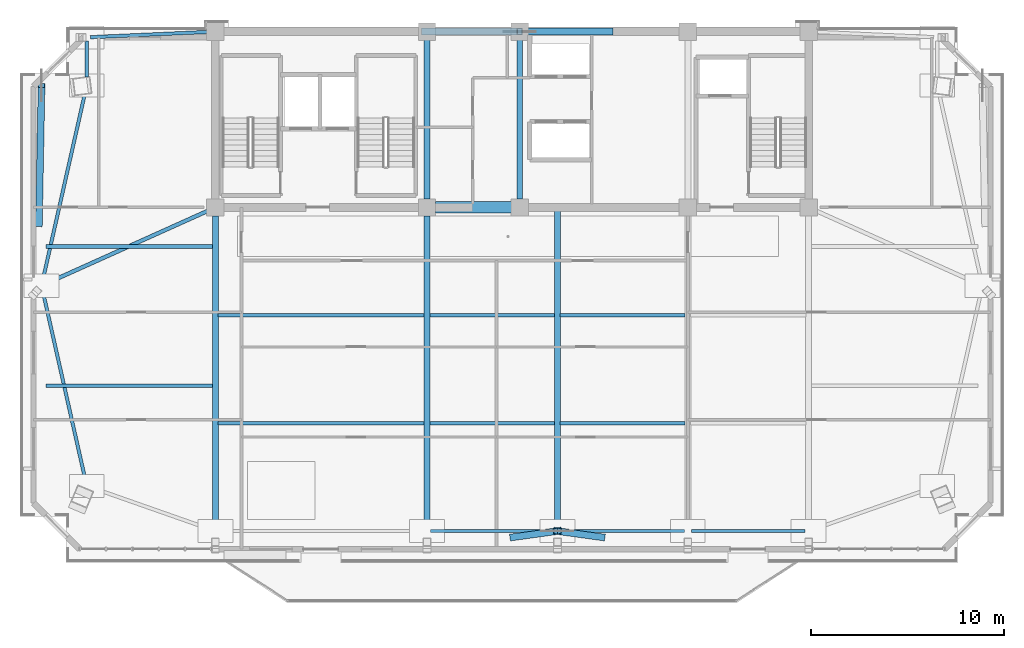
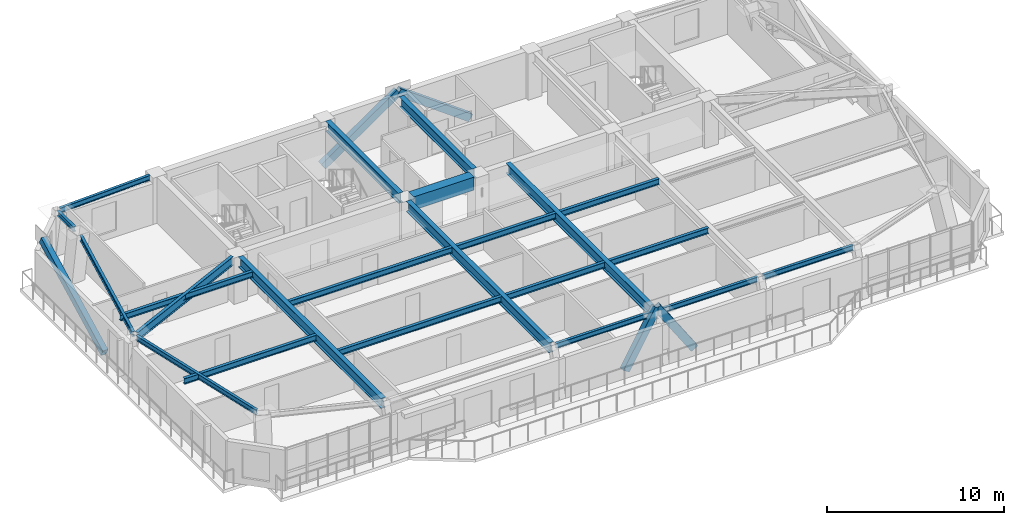
# One storey, part 3 of 14: 22 beams, 5 members.
"""IFC4 building model written with IfcOpenShell, lengths in metres."""

from ifc_helpers import new_model, si_unit, direction, frame, origin, origin_2d, place, context, subcontext, project, spatial, rectangle, hollow_rectangle, i_section, extrude, source, transform, mapped, material, material_profile, profile_set, type_object, element, save


model = new_model("IFC4")

# Units and contexts
model_context = context("Model", 3, precision=1e-05, world=origin(), true_north=direction((0.0, 1.0)))
body_context = subcontext(model_context, "Body", "Model", "MODEL_VIEW")
ifc_project = project(units=[si_unit("LENGTHUNIT", "METRE"), si_unit("AREAUNIT", "SQUARE_METRE"), si_unit("VOLUMEUNIT", "CUBIC_METRE"), si_unit("PLANEANGLEUNIT", "RADIAN"), si_unit("MASSUNIT", "GRAM", prefix="KILO")], contexts=[model_context])

# Site, building, storey
site_placement = place(None, origin())
site = spatial("IfcSite", under=ifc_project, at=site_placement, CompositionType="ELEMENT")
building_placement = place(site_placement, origin())
building = spatial("IfcBuilding", under=site, at=building_placement, Name="Giltprow Tower", CompositionType="ELEMENT")
storey_placement = place(building_placement, frame((0.0, 0.0, 310.800048828125)))
storey = spatial("IfcBuildingStorey", under=building, at=storey_placement, Name="L80", CompositionType="ELEMENT", Elevation=310.800048828125)

# Beams
ifc_material_1 = material(Name="Structural steel Q355B", Category="steel")
ifc_material_profile_1 = material_profile(ifc_material_1, i_section(OverallWidth=0.199951171875, OverallDepth=0.39990234375, WebThickness=0.008056640625, FlangeThickness=0.012939453125, at=origin_2d()), Name="HN 400x200x8x13")
ifc_profile_set_1 = profile_set([ifc_material_profile_1], Name="Structural steel Q355B")
beam_type_1 = type_object("IfcBeamType", Name="BM-JOIST-HN400", PredefinedType="JOIST", material=ifc_profile_set_1)
shared_shape_1 = source(origin(), body_context, "Body", "SweptSolid", [
    extrude(i_section(OverallWidth=0.199951171875, OverallDepth=0.39990234375, WebThickness=0.008056640625, FlangeThickness=0.012939453125, at=origin_2d()), origin(), (0.0, 0.0, 1.0), 10.659912109375),
])
for number, where, z_axis, x_axis, name in (
    (1, (19.9951171875, 26.285888671875, 2.98486328125), (1.0, 0.0, 0.0), (0.0, 1.0, 0.0), "L80 Composite Floor Joist 1-1"),
    (2, (19.9951171875, 31.867919921875, 2.98486328125), (1.0, 0.0, 0.0), (0.0, 1.0, 0.0), "L80 Composite Floor Joist 2-1"),
):
    element("IfcBeam", number, at=place(storey_placement, frame(where, z_axis=z_axis, x_axis=x_axis)), inside=storey, type_object=beam_type_1, Name=name, PredefinedType="JOIST", context=body_context, shape_type="MappedRepresentation", body=[
        mapped(shared_shape_1, transform((0.0, 0.0, 0.0), x_axis=(1.0, 0.0, 0.0), y_axis=(0.0, 1.0, 0.0), z_axis=(0.0, 0.0, 1.0), scale=1.0)),
    ])
shared_shape_2 = source(origin(), body_context, "Body", "SweptSolid", [
    extrude(i_section(OverallWidth=0.199951171875, OverallDepth=0.39990234375, WebThickness=0.008056640625, FlangeThickness=0.012939453125, at=origin_2d()), origin(), (0.0, 0.0, 1.0), 6.4599609375),
])
for number, where, z_axis, x_axis, name in (
    (3, (30.945068359375, 26.285888671875, 2.98486328125), (1.0, 0.0, 0.0), (0.0, 1.0, 0.0), "L80 Composite Floor Joist 1-2"),
    (4, (37.695068359375, 26.285888671875, 2.98486328125), (1.0, 0.0, 0.0), (0.0, 1.0, 0.0), "L80 Composite Floor Joist 1-3"),
    (5, (30.945068359375, 31.867919921875, 2.98486328125), (1.0, 0.0, 0.0), (0.0, 1.0, 0.0), "L80 Composite Floor Joist 2-2"),
    (6, (37.695068359375, 31.867919921875, 2.98486328125), (1.0, 0.0, 0.0), (0.0, 1.0, 0.0), "L80 Composite Floor Joist 2-3"),
):
    element("IfcBeam", number, at=place(storey_placement, frame(where, z_axis=z_axis, x_axis=x_axis)), inside=storey, type_object=beam_type_1, Name=name, PredefinedType="JOIST", context=body_context, shape_type="MappedRepresentation", body=[
        mapped(shared_shape_2, transform((0.0, 0.0, 0.0), x_axis=(1.0, 0.0, 0.0), y_axis=(0.0, 1.0, 0.0), z_axis=(0.0, 0.0, 1.0), scale=1.0)),
    ])
ifc_material_2 = material(Name="Concrete C50", Category="concrete")
ifc_material_profile_2 = material_profile(ifc_material_2, rectangle(XDim=0.60009765625, YDim=0.89990234375, at=origin_2d()), Name="RC 900x600")
ifc_profile_set_2 = profile_set([ifc_material_profile_2], Name="Concrete C50")
beam_type_2 = type_object("IfcBeamType", Name="BM-CPL-RC900", PredefinedType="LINTEL", material=ifc_profile_set_2)
shared_shape_3 = source(origin(), body_context, "Body", "SweptSolid", [
    extrude(rectangle(XDim=0.60009765625, YDim=0.89990234375, at=origin_2d()), origin(), (0.0, 0.0, 1.0), 3.929931640625),
])
beam_1_placement = place(storey_placement, frame((31.235107421875, 37.449951171875, 2.73486328125), z_axis=(1.0, 0.0, 0.0), x_axis=(0.0, 1.0, 0.0)))
element("IfcBeam", 7, at=beam_1_placement, inside=storey, type_object=beam_type_2, Name="L80 Core Coupling Beam CB-1", PredefinedType="LINTEL", context=body_context, shape_type="MappedRepresentation", body=[
    mapped(shared_shape_3, transform((0.0, 0.0, 0.0), x_axis=(1.0, 0.0, 0.0), y_axis=(0.0, 1.0, 0.0), z_axis=(0.0, 0.0, 1.0), scale=1.0)),
])
ifc_material_profile_3 = material_profile(ifc_material_1, i_section(OverallWidth=0.300048828125, OverallDepth=0.699951171875, WebThickness=0.012939453125, FlangeThickness=0.02392578125, at=origin_2d()), Name="HN 700x300x13x24")
ifc_profile_set_3 = profile_set([ifc_material_profile_3], Name="Structural steel Q355B")
beam_type_3 = type_object("IfcBeamType", Name="BM-GIRD-HN700", PredefinedType="BEAM", material=ifc_profile_set_3)
shared_shape_4 = source(origin(), body_context, "Body", "SweptSolid", [
    extrude(i_section(OverallWidth=0.300048828125, OverallDepth=0.699951171875, WebThickness=0.012939453125, FlangeThickness=0.02392578125, at=origin_2d()), origin(), (0.0, 0.0, 1.0), 8.22998046875),
])
for number, where, z_axis, x_axis, name in (
    (8, (30.800048828125, 37.885009765625, 2.8349609375), (0.0, 1.0, 0.0), (-1.0, 0.0, 0.0), "L80 Core Tie Girder M1"),
    (9, (35.60009765625, 37.885009765625, 2.8349609375), (0.0, 1.0, 0.0), (-1.0, 0.0, 0.0), "L80 Core Tie Girder M2"),
):
    element("IfcBeam", number, at=place(storey_placement, frame(where, z_axis=z_axis, x_axis=x_axis)), inside=storey, type_object=beam_type_3, Name=name, PredefinedType="BEAM", context=body_context, shape_type="MappedRepresentation", body=[
        mapped(shared_shape_4, transform((0.0, 0.0, 0.0), x_axis=(1.0, 0.0, 0.0), y_axis=(0.0, 1.0, 0.0), z_axis=(0.0, 0.0, 1.0), scale=1.0)),
    ])
ifc_material_profile_4 = material_profile(ifc_material_1, i_section(OverallWidth=0.175048828125, OverallDepth=0.35009765625, WebThickness=0.007080078125, FlangeThickness=0.010986328125, at=origin_2d()), Name="HN 350x175x7x11")
ifc_profile_set_4 = profile_set([ifc_material_profile_4], Name="Structural steel Q355B")
beam_type_4 = type_object("IfcBeamType", Name="BM-SPAN-HN350", PredefinedType="SPANDREL", material=ifc_profile_set_4)
shared_shape_5 = source(origin(), body_context, "Body", "SweptSolid", [
    extrude(i_section(OverallWidth=0.175048828125, OverallDepth=0.35009765625, WebThickness=0.007080078125, FlangeThickness=0.010986328125, at=origin_2d()), origin(), (0.0, 0.0, 1.0), 6.3798828125),
])
for number, where, z_axis, x_axis, name in (
    (10, (30.985107421875, 20.7041015625, 3.010009765625), (1.0, 0.0, 0.0), (0.0, 1.0, 0.0), "L80 Perimeter Spandrel Beam S2-S_MID"),
    (11, (37.735107421875, 20.7041015625, 3.010009765625), (1.0, 0.0, 0.0), (0.0, 1.0, 0.0), "L80 Perimeter Spandrel Beam S_MID-S3"),
):
    element("IfcBeam", number, at=place(storey_placement, frame(where, z_axis=z_axis, x_axis=x_axis)), inside=storey, type_object=beam_type_4, Name=name, PredefinedType="SPANDREL", context=body_context, shape_type="MappedRepresentation", body=[
        mapped(shared_shape_5, transform((0.0, 0.0, 0.0), x_axis=(1.0, 0.0, 0.0), y_axis=(0.0, 1.0, 0.0), z_axis=(0.0, 0.0, 1.0), scale=1.0)),
    ])
shared_shape_6 = source(origin(), body_context, "Body", "SweptSolid", [
    extrude(i_section(OverallWidth=0.175048828125, OverallDepth=0.35009765625, WebThickness=0.007080078125, FlangeThickness=0.010986328125, at=origin_2d()), origin(), (0.0, 0.0, 1.0), 5.8798828125),
])
beam_2_placement = place(storey_placement, frame((44.485107421875, 20.7041015625, 3.010009765625), z_axis=(1.0, 0.0, 0.0), x_axis=(0.0, 1.0, 0.0)))
element("IfcBeam", 12, at=beam_2_placement, inside=storey, type_object=beam_type_4, Name="L80 Perimeter Spandrel Beam S3-S4", PredefinedType="SPANDREL", context=body_context, shape_type="MappedRepresentation", body=[
    mapped(shared_shape_6, transform((0.0, 0.0, 0.0), x_axis=(1.0, 0.0, 0.0), y_axis=(0.0, 1.0, 0.0), z_axis=(0.0, 0.0, 1.0), scale=1.0)),
])
shared_shape_7 = source(origin(), body_context, "Body", "SweptSolid", [
    extrude(i_section(OverallWidth=0.175048828125, OverallDepth=0.35009765625, WebThickness=0.007080078125, FlangeThickness=0.010986328125, at=origin_2d()), origin(), (0.0, 0.0, 1.0), 10.0009765625),
])
for number, where, z_axis, x_axis, name in (
    (13, (13.096923828125, 43.337890625, 3.010009765625), (-0.22006980481, -0.975484126478, 0.0), (0.975484126478, -0.22006980481, 0.0), "L80 Perimeter Spandrel Beam MC_NW-W_MID"),
    (14, (10.89599609375, 33.221923828125, 3.010009765625), (0.22006980481, -0.975484126478, 0.0), (0.975484126478, 0.22006980481, 0.0), "L80 Perimeter Spandrel Beam W_MID-MC_SW"),
):
    element("IfcBeam", number, at=place(storey_placement, frame(where, z_axis=z_axis, x_axis=x_axis)), inside=storey, type_object=beam_type_4, Name=name, PredefinedType="SPANDREL", context=body_context, shape_type="MappedRepresentation", body=[
        mapped(shared_shape_7, transform((0.0, 0.0, 0.0), x_axis=(1.0, 0.0, 0.0), y_axis=(0.0, 1.0, 0.0), z_axis=(0.0, 0.0, 1.0), scale=1.0)),
    ])
shared_shape_8 = source(origin(), body_context, "Body", "SweptSolid", [
    extrude(i_section(OverallWidth=0.175048828125, OverallDepth=0.35009765625, WebThickness=0.007080078125, FlangeThickness=0.010986328125, at=origin_2d()), origin(), (0.0, 0.0, 1.0), 1.867919921875),
])
beam_3_placement = place(storey_placement, frame((13.193115234375, 46.06494140625, 3.010009765625), z_axis=(0.0, -1.0, 0.0), x_axis=(1.0, 0.0, 0.0)))
element("IfcBeam", 15, at=beam_3_placement, inside=storey, type_object=beam_type_4, Name="L80 Perimeter Spandrel Beam N_W-MC_NW", PredefinedType="SPANDREL", context=body_context, shape_type="MappedRepresentation", body=[
    mapped(shared_shape_8, transform((0.0, 0.0, 0.0), x_axis=(1.0, 0.0, 0.0), y_axis=(0.0, 1.0, 0.0), z_axis=(0.0, 0.0, 1.0), scale=1.0)),
])
shared_shape_9 = source(origin(), body_context, "Body", "SweptSolid", [
    extrude(i_section(OverallWidth=0.175048828125, OverallDepth=0.35009765625, WebThickness=0.007080078125, FlangeThickness=0.010986328125, at=origin_2d()), origin(), (0.0, 0.0, 1.0), 6.043212890625),
])
beam_4_placement = place(storey_placement, frame((13.3779296875, 46.258056640625, 3.010009765625), z_axis=(0.998986784184, 0.045004500064, 0.0), x_axis=(-0.045004500064, 0.998986784184, 0.0)))
element("IfcBeam", 16, at=beam_4_placement, inside=storey, type_object=beam_type_4, Name="L80 North Wing Spandrel W", PredefinedType="SPANDREL", context=body_context, shape_type="MappedRepresentation", body=[
    mapped(shared_shape_9, transform((0.0, 0.0, 0.0), x_axis=(1.0, 0.0, 0.0), y_axis=(0.0, 1.0, 0.0), z_axis=(0.0, 0.0, 1.0), scale=1.0)),
])
shared_shape_10 = source(origin(), body_context, "Body", "SweptSolid", [
    extrude(i_section(OverallWidth=0.300048828125, OverallDepth=0.699951171875, WebThickness=0.012939453125, FlangeThickness=0.02392578125, at=origin_2d()), origin(), (0.0, 0.0, 1.0), 16.1259765625),
])
for number, where, z_axis, x_axis, name in (
    (17, (19.85009765625, 20.888916015625, 2.8349609375), (0.0, 1.0, 0.0), (-1.0, 0.0, 0.0), "L80 Primary Lease Girder S1"),
    (18, (30.800048828125, 20.888916015625, 2.8349609375), (0.0, 1.0, 0.0), (-1.0, 0.0, 0.0), "L80 Primary Lease Girder S2"),
):
    element("IfcBeam", number, at=place(storey_placement, frame(where, z_axis=z_axis, x_axis=x_axis)), inside=storey, type_object=beam_type_3, Name=name, PredefinedType="BEAM", context=body_context, shape_type="MappedRepresentation", body=[
        mapped(shared_shape_10, transform((0.0, 0.0, 0.0), x_axis=(1.0, 0.0, 0.0), y_axis=(0.0, 1.0, 0.0), z_axis=(0.0, 0.0, 1.0), scale=1.0)),
    ])
shared_shape_11 = source(origin(), body_context, "Body", "SweptSolid", [
    extrude(i_section(OverallWidth=0.300048828125, OverallDepth=0.699951171875, WebThickness=0.012939453125, FlangeThickness=0.02392578125, at=origin_2d()), origin(), (0.0, 0.0, 1.0), 16.745849609375),
])
beam_5_placement = place(storey_placement, frame((37.550048828125, 20.7041015625, 2.8349609375), z_axis=(0.0, 1.0, 0.0), x_axis=(-1.0, 0.0, 0.0)))
element("IfcBeam", 19, at=beam_5_placement, inside=storey, type_object=beam_type_3, Name="L80 Central Lease Girder SMID", PredefinedType="BEAM", context=body_context, shape_type="MappedRepresentation", body=[
    mapped(shared_shape_11, transform((0.0, 0.0, 0.0), x_axis=(1.0, 0.0, 0.0), y_axis=(0.0, 1.0, 0.0), z_axis=(0.0, 0.0, 1.0), scale=1.0)),
])
ifc_material_profile_5 = material_profile(ifc_material_1, i_section(OverallWidth=0.199951171875, OverallDepth=0.60009765625, WebThickness=0.010986328125, FlangeThickness=0.01708984375, at=origin_2d()), Name="HN 600x200x11x17")
ifc_profile_set_5 = profile_set([ifc_material_profile_5], Name="Structural steel Q355B")
beam_type_5 = type_object("IfcBeamType", Name="BM-GIRD-HN600", PredefinedType="BEAM", material=ifc_profile_set_5)
shared_shape_12 = source(origin(), body_context, "Body", "SweptSolid", [
    extrude(i_section(OverallWidth=0.199951171875, OverallDepth=0.60009765625, WebThickness=0.010986328125, FlangeThickness=0.01708984375, at=origin_2d()), origin(), (0.0, 0.0, 1.0), 9.2431640625),
])
beam_6_placement = place(storey_placement, frame((11.02392578125, 33.47802734375, 2.885009765625), z_axis=(0.91192397627, 0.410359185962, 0.0), x_axis=(-0.410359185962, 0.91192397627, 0.0)))
element("IfcBeam", 20, at=beam_6_placement, inside=storey, type_object=beam_type_5, Name="L80 West Wing Primary Girder", PredefinedType="BEAM", context=body_context, shape_type="MappedRepresentation", body=[
    mapped(shared_shape_12, transform((0.0, 0.0, 0.0), x_axis=(1.0, 0.0, 0.0), y_axis=(0.0, 1.0, 0.0), z_axis=(0.0, 0.0, 1.0), scale=1.0)),
])
shared_shape_13 = source(origin(), body_context, "Body", "SweptSolid", [
    extrude(i_section(OverallWidth=0.199951171875, OverallDepth=0.39990234375, WebThickness=0.008056640625, FlangeThickness=0.012939453125, at=origin_2d()), origin(), (0.0, 0.0, 1.0), 8.630126953125),
])
for number, where, z_axis, x_axis, name in (
    (21, (11.074951171875, 28.221923828125, 2.98486328125), (1.0, 0.0, 0.0), (0.0, 1.0, 0.0), "L80 West Wing Floor Joist 1"),
    (22, (11.074951171875, 35.426025390625, 2.98486328125), (1.0, 0.0, 0.0), (0.0, 1.0, 0.0), "L80 West Wing Floor Joist 2"),
):
    element("IfcBeam", number, at=place(storey_placement, frame(where, z_axis=z_axis, x_axis=x_axis)), inside=storey, type_object=beam_type_1, Name=name, PredefinedType="JOIST", context=body_context, shape_type="MappedRepresentation", body=[
        mapped(shared_shape_13, transform((0.0, 0.0, 0.0), x_axis=(1.0, 0.0, 0.0), y_axis=(0.0, 1.0, 0.0), z_axis=(0.0, 0.0, 1.0), scale=1.0)),
    ])

# Members
ifc_material_3 = material(Name="Structural steel Q420GJC", Category="steel")
ifc_material_profile_6 = material_profile(ifc_material_3, hollow_rectangle(XDim=0.35009765625, YDim=0.5, WallThickness=0.02392578125, at=origin_2d()), Name="RHS 500x350x24")
ifc_profile_set_6 = profile_set([ifc_material_profile_6], Name="Structural steel Q420GJC")
member_type = type_object("IfcMemberType", Name="MBR-MEGA-RHS500", PredefinedType="BRACE", material=ifc_profile_set_6)
shared_shape_14 = source(origin(), body_context, "Body", "SweptSolid", [
    extrude(hollow_rectangle(XDim=0.35009765625, YDim=0.5, WallThickness=0.02392578125, at=origin_2d()), origin(), (0.0, 0.0, 1.0), 4.0888671875),
])
for number, where, z_axis, x_axis, name in (
    (23, (35.300048828125, 20.39306640625, 0.0), (0.550278873645, 0.076069366865, 0.831508636543), (-0.136935639325, 0.990579946639, 0.0), "L80 Chevron Mega-Brace S-L"),
    (24, (39.800048828125, 20.39306640625, 0.0), (-0.550278873645, 0.076069366865, 0.831508636543), (-0.136935639325, -0.990579946639, 0.0), "L80 Chevron Mega-Brace S-R"),
):
    element("IfcMember", number, at=place(storey_placement, frame(where, z_axis=z_axis, x_axis=x_axis)), inside=storey, type_object=member_type, Name=name, PredefinedType="BRACE", context=body_context, shape_type="MappedRepresentation", body=[
        mapped(shared_shape_14, transform((0.0, 0.0, 0.0), x_axis=(1.0, 0.0, 0.0), y_axis=(0.0, 1.0, 0.0), z_axis=(0.0, 0.0, 1.0), scale=1.0)),
    ])
shared_shape_15 = source(origin(), body_context, "Body", "SweptSolid", [
    extrude(hollow_rectangle(XDim=0.35009765625, YDim=0.5, WallThickness=0.02392578125, at=origin_2d()), origin(), (0.0, 0.0, 1.0), 5.774169921875),
])
member_1_placement = place(storey_placement, frame((40.26708984375, 46.550048828125, -0.14013671875), z_axis=(-0.808243970451, 0.0, 0.588847759807), x_axis=(0.0, -1.0, 0.0)))
element("IfcMember", 25, at=member_1_placement, inside=storey, type_object=member_type, Name="L80 Chevron Mega-Brace N-R", PredefinedType="BRACE", context=body_context, shape_type="MappedRepresentation", body=[
    mapped(shared_shape_15, transform((0.0, 0.0, 0.0), x_axis=(1.0, 0.0, 0.0), y_axis=(0.0, 1.0, 0.0), z_axis=(0.0, 0.0, 1.0), scale=1.0)),
])
shared_shape_16 = source(origin(), body_context, "Body", "SweptSolid", [
    extrude(hollow_rectangle(XDim=0.35009765625, YDim=0.5, WallThickness=0.02392578125, at=origin_2d()), origin(), (0.0, 0.0, 1.0), 7.96533203125),
])
member_2_placement = place(storey_placement, frame((10.717041015625, 36.56005859375, 0.0), z_axis=(0.017317575888, 0.90416136483, 0.426839932426), x_axis=(-0.999816628075, 0.019149679476, 0.0)))
element("IfcMember", 26, at=member_2_placement, inside=storey, type_object=member_type, Name="L80 Chevron Mega-Brace W-D", PredefinedType="BRACE", context=body_context, shape_type="MappedRepresentation", body=[
    mapped(shared_shape_16, transform((0.0, 0.0, 0.0), x_axis=(1.0, 0.0, 0.0), y_axis=(0.0, 1.0, 0.0), z_axis=(0.0, 0.0, 1.0), scale=1.0)),
])
shared_shape_17 = source(origin(), body_context, "Body", "SweptSolid", [
    extrude(hollow_rectangle(XDim=0.35009765625, YDim=0.5, WallThickness=0.02392578125, at=origin_2d()), origin(), (0.0, 0.0, 1.0), 5.991455078125),
])
member_3_placement = place(storey_placement, frame((30.6669921875, 46.550048828125, -0.14013671875), z_axis=(0.823368394688, 0.0, 0.567507256895), x_axis=(0.0, 1.0, 0.0)))
element("IfcMember", 27, at=member_3_placement, inside=storey, type_object=member_type, Name="L80 Chevron Mega-Brace N-L", PredefinedType="BRACE", context=body_context, shape_type="MappedRepresentation", body=[
    mapped(shared_shape_17, transform((0.0, 0.0, 0.0), x_axis=(1.0, 0.0, 0.0), y_axis=(0.0, 1.0, 0.0), z_axis=(0.0, 0.0, 1.0), scale=1.0)),
])

save(model, "model.ifc")
